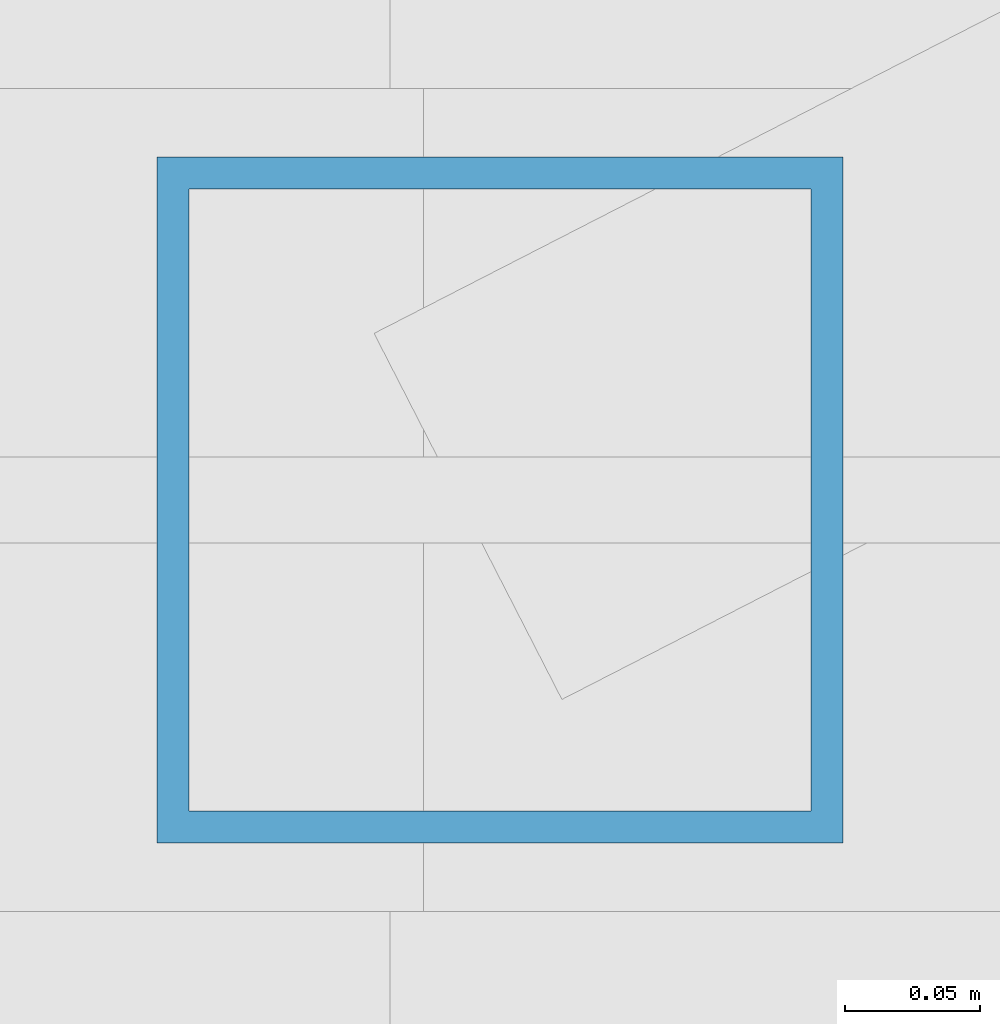
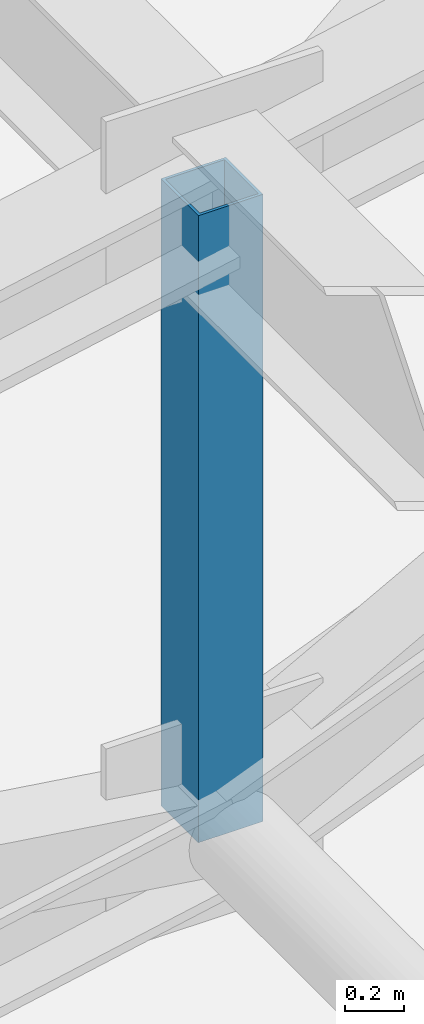
# One storey, part 28 of 73: 1 member.
"""IFC4 building model written with IfcOpenShell, lengths in metres."""

from ifc_helpers import new_model, si_unit, direction, frame, origin, origin_2d, place, context, subcontext, project, spatial, hollow_rectangle, extrude, material, material_profile, profile_set, type_object, element, save


model = new_model("IFC4")

# Units and contexts
model_context = context("Model", 3, precision=1e-05, world=origin(), true_north=direction((0.0, 1.0)))
body_context = subcontext(model_context, "Body", "Model", "MODEL_VIEW")
ifc_project = project(units=[si_unit("LENGTHUNIT", "METRE"), si_unit("AREAUNIT", "SQUARE_METRE"), si_unit("VOLUMEUNIT", "CUBIC_METRE"), si_unit("PLANEANGLEUNIT", "RADIAN"), si_unit("MASSUNIT", "GRAM", prefix="KILO")], contexts=[model_context])

# Site, building, storey
site_placement = place(None, origin())
site = spatial("IfcSite", under=ifc_project, at=site_placement, CompositionType="ELEMENT")
building_placement = place(site_placement, origin())
building = spatial("IfcBuilding", under=site, at=building_placement, Name="Vervanel Yard Central Library", CompositionType="ELEMENT")
storey_placement = place(building_placement, frame((0.0, 0.0, 12.780029296875)))
storey = spatial("IfcBuildingStorey", under=building, at=storey_placement, Name="L03", CompositionType="ELEMENT", Elevation=12.780029296875)

# Member
ifc_material = material(Name="Steel ASTM A500 Grade C", Category="steel")
ifc_material_profile = material_profile(ifc_material, hollow_rectangle(XDim=0.25390625, YDim=0.25390625, WallThickness=0.01171875, at=origin_2d()), Name="HSS10X10X1/2", Category="steel")
ifc_profile_set = profile_set([ifc_material_profile], Name="Steel ASTM A500 Grade C")
member_type = type_object("IfcMemberType", Name="Prow Truss Web Vertical HSS10X10X1/2", PredefinedType="BRACE", material=ifc_profile_set)
member_placement = place(storey_placement, frame((138.39990234375, 62.699951171875, 4.9482421875), z_axis=(0.0, 0.0, 1.0), x_axis=(1.0, 0.0, 0.0)))
element("IfcMember", 1, at=member_placement, inside=storey, type_object=member_type, Name="Prow Cantilever Truss N Vertical 3", PredefinedType="BRACE", context=body_context, shape_type="SweptSolid", body=[
    extrude(hollow_rectangle(XDim=0.25390625, YDim=0.25390625, WallThickness=0.01171875, at=origin_2d()), origin(), (0.0, 0.0, 1.0), 2.599853515625),
])

save(model, "model.ifc")
